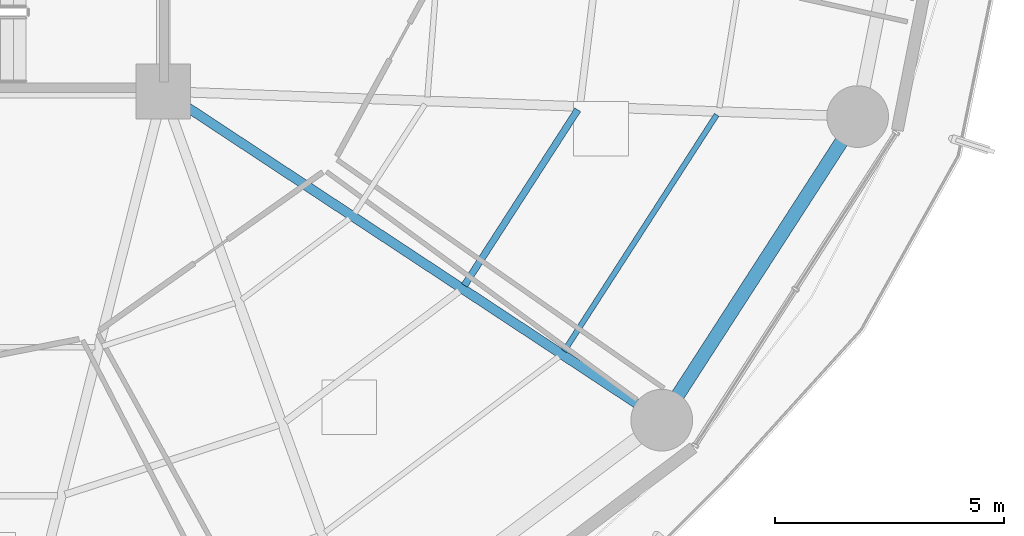
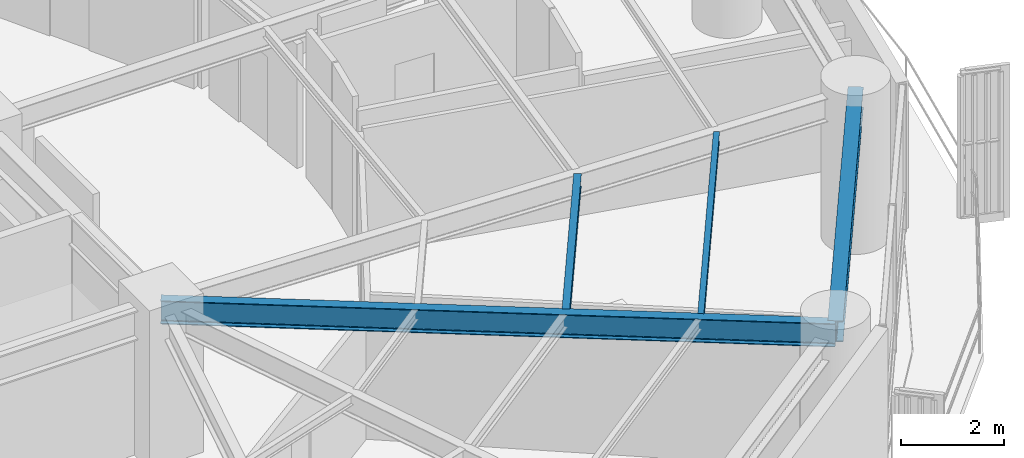
# One storey, part 13 of 35: 4 beams.
"""IFC4 building model written with IfcOpenShell, lengths in metres."""

from ifc_helpers import new_model, si_unit, direction, frame, origin, origin_2d, place, context, subcontext, project, spatial, i_section, extrude, material, material_profile, profile_set, type_object, element, save


model = new_model("IFC4")

# Units and contexts
model_context = context("Model", 3, precision=1e-05, world=origin(), true_north=direction((0.0, 1.0)))
body_context = subcontext(model_context, "Body", "Model", "MODEL_VIEW")
ifc_project = project(units=[si_unit("LENGTHUNIT", "METRE"), si_unit("AREAUNIT", "SQUARE_METRE"), si_unit("VOLUMEUNIT", "CUBIC_METRE"), si_unit("PLANEANGLEUNIT", "RADIAN"), si_unit("MASSUNIT", "GRAM", prefix="KILO")], contexts=[model_context])

# Site, building, storey
site_placement = place(None, origin())
site = spatial("IfcSite", under=ifc_project, at=site_placement, CompositionType="ELEMENT")
building_placement = place(site_placement, origin())
building = spatial("IfcBuilding", under=site, at=building_placement, Name="Kelanora Arch Commons", CompositionType="ELEMENT")
storey_placement = place(building_placement, frame((0.0, 0.0, 121.35009765625)))
storey = spatial("IfcBuildingStorey", under=building, at=storey_placement, Name="L31", CompositionType="ELEMENT", Elevation=121.35009765625)

# Beams
ifc_material = material(Name="Steel S355", Category="steel")
ifc_material_profile_1 = material_profile(ifc_material, i_section(OverallWidth=0.14990234375, OverallDepth=0.300048828125, WebThickness=0.007080078125, FlangeThickness=0.0107421875, FilletRadius=0.014892578125, at=origin_2d()), Name="IPE300")
ifc_profile_set_1 = profile_set([ifc_material_profile_1], Name="Steel S355")
beam_type_1 = type_object("IfcBeamType", Name="BM-JST-01", PredefinedType="JOIST", material=ifc_profile_set_1)
beam_1_placement = place(storey_placement, frame((88.589599609375, 46.755615234375, 3.33984375), z_axis=(0.542230243286, 0.840229946661, 0.0), x_axis=(-0.840229946661, 0.542230243286, 0.0)))
element("IfcBeam", 1, at=beam_1_placement, inside=storey, type_object=beam_type_1, Name="Secondary Chord Joist BJB-32 L31", PredefinedType="JOIST", context=body_context, shape_type="SweptSolid", body=[
    extrude(i_section(OverallWidth=0.14990234375, OverallDepth=0.300048828125, WebThickness=0.007080078125, FlangeThickness=0.0107421875, FilletRadius=0.014892578125, at=origin_2d()), origin(), (0.0, 0.0, 1.0), 4.572265625),
])
ifc_material_profile_2 = material_profile(ifc_material, i_section(OverallWidth=0.1201171875, OverallDepth=0.239990234375, WebThickness=0.006103515625, FlangeThickness=0.009765625, FilletRadius=0.014892578125, at=origin_2d()), Name="IPE240")
ifc_profile_set_2 = profile_set([ifc_material_profile_2], Name="Steel S355")
beam_type_2 = type_object("IfcBeamType", Name="BM-JST-02", PredefinedType="JOIST", material=ifc_profile_set_2)
beam_2_placement = place(storey_placement, frame((90.77099609375, 45.317138671875, 3.369873046875), z_axis=(0.542212726273, 0.840241250754, 0.0), x_axis=(-0.840241250754, 0.542212726273, 0.0)))
element("IfcBeam", 2, at=beam_2_placement, inside=storey, type_object=beam_type_2, Name="Secondary Chord Joist BJC-32 L31", PredefinedType="JOIST", context=body_context, shape_type="SweptSolid", body=[
    extrude(i_section(OverallWidth=0.1201171875, OverallDepth=0.239990234375, WebThickness=0.006103515625, FlangeThickness=0.009765625, FilletRadius=0.014892578125, at=origin_2d()), origin(), (0.0, 0.0, 1.0), 6.15283203125),
])
ifc_material_profile_3 = material_profile(ifc_material, i_section(OverallWidth=0.2099609375, OverallDepth=0.550048828125, WebThickness=0.010986328125, FlangeThickness=0.01708984375, FilletRadius=0.02392578125, at=origin_2d()), Name="IPE550")
ifc_profile_set_3 = profile_set([ifc_material_profile_3], Name="Steel S355")
beam_type_3 = type_object("IfcBeamType", Name="BM-RAD-Z2", PredefinedType="BEAM", material=ifc_profile_set_3)
beam_3_placement = place(storey_placement, frame((82.0, 51.0, 3.21484375), z_axis=(0.834788577908, -0.550570640512, 0.0), x_axis=(0.550570640512, 0.834788577908, 0.0)))
element("IfcBeam", 3, at=beam_3_placement, inside=storey, type_object=beam_type_3, Name="Radial Floor Girder BR-32 L31", PredefinedType="BEAM", context=body_context, shape_type="SweptSolid", body=[
    extrude(i_section(OverallWidth=0.2099609375, OverallDepth=0.550048828125, WebThickness=0.010986328125, FlangeThickness=0.01708984375, FilletRadius=0.02392578125, at=origin_2d()), origin(), (0.0, 0.0, 1.0), 13.064453125),
])
ifc_material_profile_4 = material_profile(ifc_material, i_section(OverallWidth=0.300048828125, OverallDepth=0.5, WebThickness=0.014404296875, FlangeThickness=0.028076171875, FilletRadius=0.027099609375, at=origin_2d()), Name="HEB500")
ifc_profile_set_4 = profile_set([ifc_material_profile_4], Name="Steel S355")
beam_type_4 = type_object("IfcBeamType", Name="BM-SPN-Z2", PredefinedType="SPANDREL", material=ifc_profile_set_4)
beam_4_placement = place(storey_placement, frame((92.906005859375, 43.80712890625, 3.239990234375), z_axis=(0.542221144054, 0.840235818649, 0.0), x_axis=(-0.840235818649, 0.542221144054, 0.0)))
element("IfcBeam", 4, at=beam_4_placement, inside=storey, type_object=beam_type_4, Name="Perimeter Spandrel Beam BS-32 L31", PredefinedType="SPANDREL", context=body_context, shape_type="SweptSolid", body=[
    extrude(i_section(OverallWidth=0.300048828125, OverallDepth=0.5, WebThickness=0.014404296875, FlangeThickness=0.028076171875, FilletRadius=0.027099609375, at=origin_2d()), origin(), (0.0, 0.0, 1.0), 7.90380859375),
])

save(model, "model.ifc")
